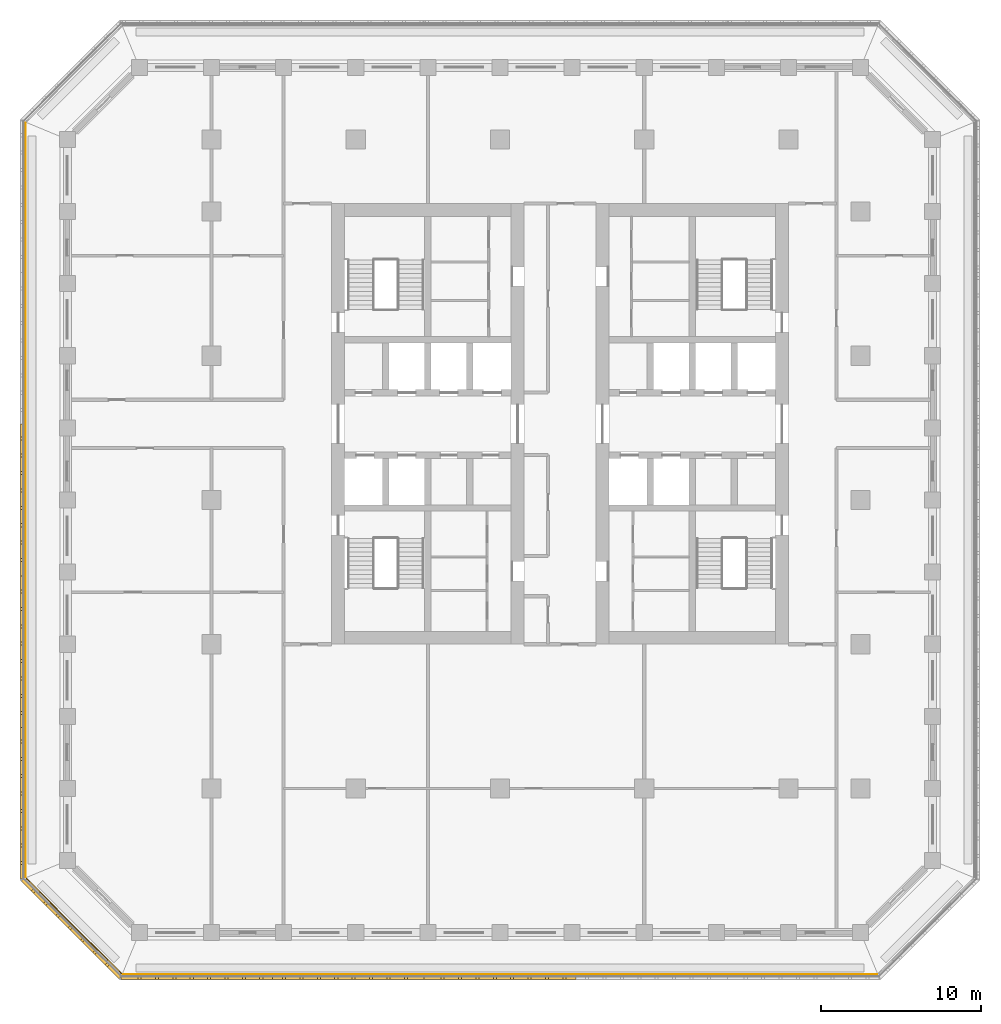
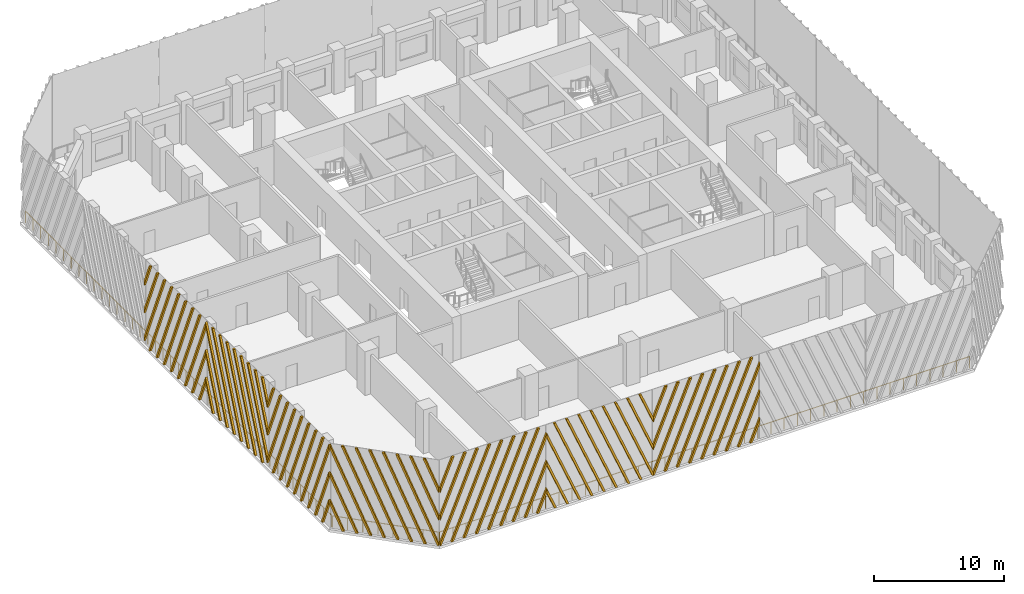
# One storey, part 9 of 16: 7 shading devices, 3 railings.
"""IFC4 building model written with IfcOpenShell, lengths in metres."""

from ifc_helpers import new_model, si_unit, direction, frame, origin, origin_2d, place, context, subcontext, project, spatial, polyline, circle, outline, extrude, source, transform, mapped, material, type_object, element, save


model = new_model("IFC4")

# Units and contexts
model_context = context("Model", 3, precision=1e-05, world=origin(), true_north=direction((0.0, 1.0)))
body_context = subcontext(model_context, "Body", "Model", "MODEL_VIEW")
ifc_project = project(units=[si_unit("LENGTHUNIT", "METRE"), si_unit("AREAUNIT", "SQUARE_METRE"), si_unit("VOLUMEUNIT", "CUBIC_METRE"), si_unit("PLANEANGLEUNIT", "RADIAN"), si_unit("MASSUNIT", "GRAM", prefix="KILO")], contexts=[model_context])

# Site, building, storey
site_placement = place(None, origin())
site = spatial("IfcSite", under=ifc_project, at=site_placement, CompositionType="ELEMENT")
building_placement = place(site_placement, origin())
building = spatial("IfcBuilding", under=site, at=building_placement, Name="Corbel Stack Research Tower", CompositionType="ELEMENT")
storey_placement = place(building_placement, frame((0.0, 0.0, 173.199951171875)))
storey = spatial("IfcBuildingStorey", under=building, at=storey_placement, Name="L39", CompositionType="ELEMENT", Elevation=173.199951171875)

# Railings
ifc_material_1 = material(Name="Powder-coated steel guard", Category="steel")
railing_type = type_object("IfcRailingType", Name="Steel and glass guard 1100", PredefinedType="GUARDRAIL", material=ifc_material_1)
railing_1_placement = place(storey_placement, frame((-23.50537109375, -29.60009765625, 0.0)))
element("IfcRailing", 1, at=railing_1_placement, inside=storey, type_object=railing_type, Name="Loggia guard L39 S", PredefinedType="GUARDRAIL", context=body_context, shape_type="SweptSolid", body=[
    extrude(circle(Radius=0.02392578125, at=origin_2d()), frame((0.0, 0.0, 1.076171875), z_axis=(1.0, 0.0, 0.0), x_axis=(0.0, 1.0, 0.0)), (0.0, 0.0, 1.0), 47.0107421875),
    extrude(circle(Radius=0.02099609375, at=origin_2d()), origin(), (0.0, 0.0, 1.0), 1.052001953125),
    extrude(circle(Radius=0.02099609375, at=origin_2d()), frame((1.17529296875, 0.0, 0.0)), (0.0, 0.0, 1.0), 1.052001953125),
    extrude(circle(Radius=0.02099609375, at=origin_2d()), frame((2.3505859375, 0.0, 0.0)), (0.0, 0.0, 1.0), 1.052001953125),
    extrude(circle(Radius=0.02099609375, at=origin_2d()), frame((3.52587890625, 0.0, 0.0)), (0.0, 0.0, 1.0), 1.052001953125),
    extrude(circle(Radius=0.02099609375, at=origin_2d()), frame((4.701171875, 0.0, 0.0)), (0.0, 0.0, 1.0), 1.052001953125),
    extrude(circle(Radius=0.02099609375, at=origin_2d()), frame((5.87646484375, 0.0, 0.0)), (0.0, 0.0, 1.0), 1.052001953125),
    extrude(circle(Radius=0.02099609375, at=origin_2d()), frame((7.051513671875, 0.0, 0.0)), (0.0, 0.0, 1.0), 1.052001953125),
    extrude(circle(Radius=0.02099609375, at=origin_2d()), frame((8.226806640625, 0.0, 0.0)), (0.0, 0.0, 1.0), 1.052001953125),
    extrude(circle(Radius=0.02099609375, at=origin_2d()), frame((9.402099609375, 0.0, 0.0)), (0.0, 0.0, 1.0), 1.052001953125),
    extrude(circle(Radius=0.02099609375, at=origin_2d()), frame((10.577392578125, 0.0, 0.0)), (0.0, 0.0, 1.0), 1.052001953125),
    extrude(circle(Radius=0.02099609375, at=origin_2d()), frame((11.752685546875, 0.0, 0.0)), (0.0, 0.0, 1.0), 1.052001953125),
    extrude(circle(Radius=0.02099609375, at=origin_2d()), frame((12.927978515625, 0.0, 0.0)), (0.0, 0.0, 1.0), 1.052001953125),
    extrude(circle(Radius=0.02099609375, at=origin_2d()), frame((14.103271484375, 0.0, 0.0)), (0.0, 0.0, 1.0), 1.052001953125),
    extrude(circle(Radius=0.02099609375, at=origin_2d()), frame((15.278564453125, 0.0, 0.0)), (0.0, 0.0, 1.0), 1.052001953125),
    extrude(circle(Radius=0.02099609375, at=origin_2d()), frame((16.453857421875, 0.0, 0.0)), (0.0, 0.0, 1.0), 1.052001953125),
    extrude(circle(Radius=0.02099609375, at=origin_2d()), frame((17.62890625, 0.0, 0.0)), (0.0, 0.0, 1.0), 1.052001953125),
    extrude(circle(Radius=0.02099609375, at=origin_2d()), frame((18.80419921875, 0.0, 0.0)), (0.0, 0.0, 1.0), 1.052001953125),
    extrude(circle(Radius=0.02099609375, at=origin_2d()), frame((19.9794921875, 0.0, 0.0)), (0.0, 0.0, 1.0), 1.052001953125),
    extrude(circle(Radius=0.02099609375, at=origin_2d()), frame((21.15478515625, 0.0, 0.0)), (0.0, 0.0, 1.0), 1.052001953125),
    extrude(circle(Radius=0.02099609375, at=origin_2d()), frame((22.330078125, 0.0, 0.0)), (0.0, 0.0, 1.0), 1.052001953125),
    extrude(circle(Radius=0.02099609375, at=origin_2d()), frame((23.50537109375, 0.0, 0.0)), (0.0, 0.0, 1.0), 1.052001953125),
    extrude(circle(Radius=0.02099609375, at=origin_2d()), frame((24.6806640625, 0.0, 0.0)), (0.0, 0.0, 1.0), 1.052001953125),
    extrude(circle(Radius=0.02099609375, at=origin_2d()), frame((25.85595703125, 0.0, 0.0)), (0.0, 0.0, 1.0), 1.052001953125),
    extrude(circle(Radius=0.02099609375, at=origin_2d()), frame((27.03125, 0.0, 0.0)), (0.0, 0.0, 1.0), 1.052001953125),
    extrude(circle(Radius=0.02099609375, at=origin_2d()), frame((28.20654296875, 0.0, 0.0)), (0.0, 0.0, 1.0), 1.052001953125),
    extrude(circle(Radius=0.02099609375, at=origin_2d()), frame((29.3818359375, 0.0, 0.0)), (0.0, 0.0, 1.0), 1.052001953125),
    extrude(circle(Radius=0.02099609375, at=origin_2d()), frame((30.556884765625, 0.0, 0.0)), (0.0, 0.0, 1.0), 1.052001953125),
    extrude(circle(Radius=0.02099609375, at=origin_2d()), frame((31.732177734375, 0.0, 0.0)), (0.0, 0.0, 1.0), 1.052001953125),
    extrude(circle(Radius=0.02099609375, at=origin_2d()), frame((32.907470703125, 0.0, 0.0)), (0.0, 0.0, 1.0), 1.052001953125),
    extrude(circle(Radius=0.02099609375, at=origin_2d()), frame((34.082763671875, 0.0, 0.0)), (0.0, 0.0, 1.0), 1.052001953125),
    extrude(circle(Radius=0.02099609375, at=origin_2d()), frame((35.258056640625, 0.0, 0.0)), (0.0, 0.0, 1.0), 1.052001953125),
    extrude(circle(Radius=0.02099609375, at=origin_2d()), frame((36.433349609375, 0.0, 0.0)), (0.0, 0.0, 1.0), 1.052001953125),
    extrude(circle(Radius=0.02099609375, at=origin_2d()), frame((37.608642578125, 0.0, 0.0)), (0.0, 0.0, 1.0), 1.052001953125),
    extrude(circle(Radius=0.02099609375, at=origin_2d()), frame((38.783935546875, 0.0, 0.0)), (0.0, 0.0, 1.0), 1.052001953125),
    extrude(circle(Radius=0.02099609375, at=origin_2d()), frame((39.959228515625, 0.0, 0.0)), (0.0, 0.0, 1.0), 1.052001953125),
    extrude(circle(Radius=0.02099609375, at=origin_2d()), frame((41.13427734375, 0.0, 0.0)), (0.0, 0.0, 1.0), 1.052001953125),
    extrude(circle(Radius=0.02099609375, at=origin_2d()), frame((42.3095703125, 0.0, 0.0)), (0.0, 0.0, 1.0), 1.052001953125),
    extrude(circle(Radius=0.02099609375, at=origin_2d()), frame((43.48486328125, 0.0, 0.0)), (0.0, 0.0, 1.0), 1.052001953125),
    extrude(circle(Radius=0.02099609375, at=origin_2d()), frame((44.66015625, 0.0, 0.0)), (0.0, 0.0, 1.0), 1.052001953125),
    extrude(circle(Radius=0.02099609375, at=origin_2d()), frame((45.83544921875, 0.0, 0.0)), (0.0, 0.0, 1.0), 1.052001953125),
    extrude(circle(Radius=0.02099609375, at=origin_2d()), frame((47.0107421875, 0.0, 0.0)), (0.0, 0.0, 1.0), 1.052001953125),
])
railing_2_placement = place(storey_placement, frame((-29.60009765625, 23.50537109375, 0.0)))
element("IfcRailing", 2, at=railing_2_placement, inside=storey, type_object=railing_type, Name="Loggia guard L39 W", PredefinedType="GUARDRAIL", context=body_context, shape_type="SweptSolid", body=[
    extrude(circle(Radius=0.02392578125, at=origin_2d()), frame((0.0, 0.0, 1.076171875), z_axis=(0.0, -1.0, 0.0), x_axis=(1.0, 0.0, 0.0)), (0.0, 0.0, 1.0), 47.0107421875),
    extrude(circle(Radius=0.02099609375, at=origin_2d()), origin(), (0.0, 0.0, 1.0), 1.052001953125),
    extrude(circle(Radius=0.02099609375, at=origin_2d()), frame((0.0, -1.17529296875, 0.0)), (0.0, 0.0, 1.0), 1.052001953125),
    extrude(circle(Radius=0.02099609375, at=origin_2d()), frame((0.0, -2.3505859375, 0.0)), (0.0, 0.0, 1.0), 1.052001953125),
    extrude(circle(Radius=0.02099609375, at=origin_2d()), frame((0.0, -3.52587890625, 0.0)), (0.0, 0.0, 1.0), 1.052001953125),
    extrude(circle(Radius=0.02099609375, at=origin_2d()), frame((0.0, -4.701171875, 0.0)), (0.0, 0.0, 1.0), 1.052001953125),
    extrude(circle(Radius=0.02099609375, at=origin_2d()), frame((0.0, -5.87646484375, 0.0)), (0.0, 0.0, 1.0), 1.052001953125),
    extrude(circle(Radius=0.02099609375, at=origin_2d()), frame((0.0, -7.051513671875, 0.0)), (0.0, 0.0, 1.0), 1.052001953125),
    extrude(circle(Radius=0.02099609375, at=origin_2d()), frame((0.0, -8.226806640625, 0.0)), (0.0, 0.0, 1.0), 1.052001953125),
    extrude(circle(Radius=0.02099609375, at=origin_2d()), frame((0.0, -9.402099609375, 0.0)), (0.0, 0.0, 1.0), 1.052001953125),
    extrude(circle(Radius=0.02099609375, at=origin_2d()), frame((0.0, -10.577392578125, 0.0)), (0.0, 0.0, 1.0), 1.052001953125),
    extrude(circle(Radius=0.02099609375, at=origin_2d()), frame((0.0, -11.752685546875, 0.0)), (0.0, 0.0, 1.0), 1.052001953125),
    extrude(circle(Radius=0.02099609375, at=origin_2d()), frame((0.0, -12.927978515625, 0.0)), (0.0, 0.0, 1.0), 1.052001953125),
    extrude(circle(Radius=0.02099609375, at=origin_2d()), frame((0.0, -14.103271484375, 0.0)), (0.0, 0.0, 1.0), 1.052001953125),
    extrude(circle(Radius=0.02099609375, at=origin_2d()), frame((0.0, -15.278564453125, 0.0)), (0.0, 0.0, 1.0), 1.052001953125),
    extrude(circle(Radius=0.02099609375, at=origin_2d()), frame((0.0, -16.453857421875, 0.0)), (0.0, 0.0, 1.0), 1.052001953125),
    extrude(circle(Radius=0.02099609375, at=origin_2d()), frame((0.0, -17.62890625, 0.0)), (0.0, 0.0, 1.0), 1.052001953125),
    extrude(circle(Radius=0.02099609375, at=origin_2d()), frame((0.0, -18.80419921875, 0.0)), (0.0, 0.0, 1.0), 1.052001953125),
    extrude(circle(Radius=0.02099609375, at=origin_2d()), frame((0.0, -19.9794921875, 0.0)), (0.0, 0.0, 1.0), 1.052001953125),
    extrude(circle(Radius=0.02099609375, at=origin_2d()), frame((0.0, -21.15478515625, 0.0)), (0.0, 0.0, 1.0), 1.052001953125),
    extrude(circle(Radius=0.02099609375, at=origin_2d()), frame((0.0, -22.330078125, 0.0)), (0.0, 0.0, 1.0), 1.052001953125),
    extrude(circle(Radius=0.02099609375, at=origin_2d()), frame((0.0, -23.50537109375, 0.0)), (0.0, 0.0, 1.0), 1.052001953125),
    extrude(circle(Radius=0.02099609375, at=origin_2d()), frame((0.0, -24.6806640625, 0.0)), (0.0, 0.0, 1.0), 1.052001953125),
    extrude(circle(Radius=0.02099609375, at=origin_2d()), frame((0.0, -25.85595703125, 0.0)), (0.0, 0.0, 1.0), 1.052001953125),
    extrude(circle(Radius=0.02099609375, at=origin_2d()), frame((0.0, -27.03125, 0.0)), (0.0, 0.0, 1.0), 1.052001953125),
    extrude(circle(Radius=0.02099609375, at=origin_2d()), frame((0.0, -28.20654296875, 0.0)), (0.0, 0.0, 1.0), 1.052001953125),
    extrude(circle(Radius=0.02099609375, at=origin_2d()), frame((0.0, -29.3818359375, 0.0)), (0.0, 0.0, 1.0), 1.052001953125),
    extrude(circle(Radius=0.02099609375, at=origin_2d()), frame((0.0, -30.556884765625, 0.0)), (0.0, 0.0, 1.0), 1.052001953125),
    extrude(circle(Radius=0.02099609375, at=origin_2d()), frame((0.0, -31.732177734375, 0.0)), (0.0, 0.0, 1.0), 1.052001953125),
    extrude(circle(Radius=0.02099609375, at=origin_2d()), frame((0.0, -32.907470703125, 0.0)), (0.0, 0.0, 1.0), 1.052001953125),
    extrude(circle(Radius=0.02099609375, at=origin_2d()), frame((0.0, -34.082763671875, 0.0)), (0.0, 0.0, 1.0), 1.052001953125),
    extrude(circle(Radius=0.02099609375, at=origin_2d()), frame((0.0, -35.258056640625, 0.0)), (0.0, 0.0, 1.0), 1.052001953125),
    extrude(circle(Radius=0.02099609375, at=origin_2d()), frame((0.0, -36.433349609375, 0.0)), (0.0, 0.0, 1.0), 1.052001953125),
    extrude(circle(Radius=0.02099609375, at=origin_2d()), frame((0.0, -37.608642578125, 0.0)), (0.0, 0.0, 1.0), 1.052001953125),
    extrude(circle(Radius=0.02099609375, at=origin_2d()), frame((0.0, -38.783935546875, 0.0)), (0.0, 0.0, 1.0), 1.052001953125),
    extrude(circle(Radius=0.02099609375, at=origin_2d()), frame((0.0, -39.959228515625, 0.0)), (0.0, 0.0, 1.0), 1.052001953125),
    extrude(circle(Radius=0.02099609375, at=origin_2d()), frame((0.0, -41.13427734375, 0.0)), (0.0, 0.0, 1.0), 1.052001953125),
    extrude(circle(Radius=0.02099609375, at=origin_2d()), frame((0.0, -42.3095703125, 0.0)), (0.0, 0.0, 1.0), 1.052001953125),
    extrude(circle(Radius=0.02099609375, at=origin_2d()), frame((0.0, -43.48486328125, 0.0)), (0.0, 0.0, 1.0), 1.052001953125),
    extrude(circle(Radius=0.02099609375, at=origin_2d()), frame((0.0, -44.66015625, 0.0)), (0.0, 0.0, 1.0), 1.052001953125),
    extrude(circle(Radius=0.02099609375, at=origin_2d()), frame((0.0, -45.83544921875, 0.0)), (0.0, 0.0, 1.0), 1.052001953125),
    extrude(circle(Radius=0.02099609375, at=origin_2d()), frame((0.0, -47.0107421875, 0.0)), (0.0, 0.0, 1.0), 1.052001953125),
])
railing_3_placement = place(storey_placement, frame((-29.54931640625, -23.627685546875, 0.0)))
element("IfcRailing", 3, at=railing_3_placement, inside=storey, type_object=railing_type, Name="Loggia guard L39 SW", PredefinedType="GUARDRAIL", context=body_context, shape_type="SweptSolid", body=[
    extrude(circle(Radius=0.02392578125, at=origin_2d()), frame((0.0, 0.0, 1.076171875), z_axis=(0.707106781187, -0.707106781187, 0.0), x_axis=(0.707106781187, 0.707106781187, 0.0)), (0.0, 0.0, 1.0), 8.37451171875),
    extrude(circle(Radius=0.02099609375, at=origin_2d()), origin(), (0.0, 0.0, 1.0), 1.052001953125),
    extrude(circle(Radius=0.02099609375, at=origin_2d()), frame((0.845947265625, -0.845947265625, 0.0)), (0.0, 0.0, 1.0), 1.052001953125),
    extrude(circle(Radius=0.02099609375, at=origin_2d()), frame((1.69189453125, -1.69189453125, 0.0)), (0.0, 0.0, 1.0), 1.052001953125),
    extrude(circle(Radius=0.02099609375, at=origin_2d()), frame((2.537841796875, -2.537841796875, 0.0)), (0.0, 0.0, 1.0), 1.052001953125),
    extrude(circle(Radius=0.02099609375, at=origin_2d()), frame((3.3837890625, -3.3837890625, 0.0)), (0.0, 0.0, 1.0), 1.052001953125),
    extrude(circle(Radius=0.02099609375, at=origin_2d()), frame((4.229736328125, -4.229736328125, 0.0)), (0.0, 0.0, 1.0), 1.052001953125),
    extrude(circle(Radius=0.02099609375, at=origin_2d()), frame((5.07568359375, -5.07568359375, 0.0)), (0.0, 0.0, 1.0), 1.052001953125),
    extrude(circle(Radius=0.02099609375, at=origin_2d()), frame((5.921630859375, -5.921630859375, 0.0)), (0.0, 0.0, 1.0), 1.052001953125),
])

# Shading devices
ifc_material_2 = material(Name="Precast terracotta", Category="masonry")
shading_device_type = type_object("IfcShadingDeviceType", Name="Terracotta screen panel", PredefinedType="USERDEFINED", material=ifc_material_2)
shared_shape_1 = source(origin(), body_context, "Body", "SweptSolid", [
    extrude(outline(polyline([(1.245849609375, 7.949951171875), (1.055908203125, 7.949951171875), (0.0, 5.421875), (0.0, 4.966796875), (1.245849609375, 7.949951171875)])), frame((0.0, 0.0, 0.0), z_axis=(0.0, -1.0, 0.0), x_axis=(1.0, 0.0, 0.0)), (0.0, 0.0, 1.0), 0.179931640625),
    extrude(outline(polyline([(2.33056640625, 7.949951171875), (2.140380859375, 7.949951171875), (0.0, 2.82470703125), (0.0, 2.36962890625), (2.33056640625, 7.949951171875)])), frame((0.0, 0.0, 0.0), z_axis=(0.0, -1.0, 0.0), x_axis=(1.0, 0.0, 0.0)), (0.0, 0.0, 1.0), 0.179931640625),
    extrude(outline(polyline([(0.094970703125, 0.0), (3.415283203125, 7.949951171875), (3.22509765625, 7.949951171875), (0.0, 0.2275390625), (0.0, 0.0), (0.094970703125, 0.0)])), frame((0.0, 0.0, 0.0), z_axis=(0.0, -1.0, 0.0), x_axis=(1.0, 0.0, 0.0)), (0.0, 0.0, 1.0), 0.179931640625),
    extrude(outline(polyline([(1.1796875, 0.0), (4.499755859375, 7.949951171875), (4.309814453125, 7.949951171875), (0.98974609375, 0.0), (1.1796875, 0.0)])), frame((0.0, 0.0, 0.0), z_axis=(0.0, -1.0, 0.0), x_axis=(1.0, 0.0, 0.0)), (0.0, 0.0, 1.0), 0.179931640625),
    extrude(outline(polyline([(2.264404296875, 0.0), (5.58447265625, 7.949951171875), (5.39453125, 7.949951171875), (2.07421875, 0.0), (2.264404296875, 0.0)])), frame((0.0, 0.0, 0.0), z_axis=(0.0, -1.0, 0.0), x_axis=(1.0, 0.0, 0.0)), (0.0, 0.0, 1.0), 0.179931640625),
    extrude(outline(polyline([(3.34912109375, 0.0), (6.669189453125, 7.949951171875), (6.479248046875, 7.949951171875), (3.158935546875, 0.0), (3.34912109375, 0.0)])), frame((0.0, 0.0, 0.0), z_axis=(0.0, -1.0, 0.0), x_axis=(1.0, 0.0, 0.0)), (0.0, 0.0, 1.0), 0.179931640625),
    extrude(outline(polyline([(4.43359375, 0.0), (7.75390625, 7.949951171875), (7.563720703125, 7.949951171875), (4.24365234375, 0.0), (4.43359375, 0.0)])), frame((0.0, 0.0, 0.0), z_axis=(0.0, -1.0, 0.0), x_axis=(1.0, 0.0, 0.0)), (0.0, 0.0, 1.0), 0.179931640625),
    extrude(outline(polyline([(5.518310546875, 0.0), (8.83837890625, 7.949951171875), (8.6484375, 7.949951171875), (5.328369140625, 0.0), (5.518310546875, 0.0)])), frame((0.0, 0.0, 0.0), z_axis=(0.0, -1.0, 0.0), x_axis=(1.0, 0.0, 0.0)), (0.0, 0.0, 1.0), 0.179931640625),
    extrude(outline(polyline([(6.60302734375, 0.0), (9.45556640625, 6.83056640625), (9.45556640625, 7.285400390625), (6.4130859375, 0.0), (6.60302734375, 0.0)])), frame((0.0, 0.0, 0.0), z_axis=(0.0, -1.0, 0.0), x_axis=(1.0, 0.0, 0.0)), (0.0, 0.0, 1.0), 0.179931640625),
    extrude(outline(polyline([(7.687744140625, 0.0), (9.45556640625, 4.2333984375), (9.45556640625, 4.688232421875), (7.497802734375, 0.0), (7.687744140625, 0.0)])), frame((0.0, 0.0, 0.0), z_axis=(0.0, -1.0, 0.0), x_axis=(1.0, 0.0, 0.0)), (0.0, 0.0, 1.0), 0.179931640625),
    extrude(outline(polyline([(8.772216796875, 0.0), (9.45556640625, 1.635986328125), (9.45556640625, 2.091064453125), (8.582275390625, 0.0), (8.772216796875, 0.0)])), frame((0.0, 0.0, 0.0), z_axis=(0.0, -1.0, 0.0), x_axis=(1.0, 0.0, 0.0)), (0.0, 0.0, 1.0), 0.179931640625),
])
for number, where, z_axis, x_axis, name in (
    (4, (-23.63916015625, -29.75, 0.0), (0.0, 0.0, 1.0), (1.0, 0.0, 0.0), "Terracotta screen L39 S1"),
    (5, (-4.727783203125, -29.75, 0.0), (0.0, 0.0, 1.0), (1.0, 0.0, 0.0), "Terracotta screen L39 S3"),
):
    element("IfcShadingDevice", number, at=place(storey_placement, frame(where, z_axis=z_axis, x_axis=x_axis)), inside=storey, type_object=shading_device_type, Name=name, ObjectType="SCREEN", PredefinedType="USERDEFINED", context=body_context, shape_type="MappedRepresentation", body=[
        mapped(shared_shape_1, transform((0.0, 0.0, 0.0))),
    ])
shared_shape_2 = source(origin(), body_context, "Body", "SweptSolid", [
    extrude(outline(polyline([(0.873291015625, 0.0), (0.0, 2.091064453125), (0.0, 1.635986328125), (0.683349609375, 0.0), (0.873291015625, 0.0)])), frame((0.0, 0.0, 0.0), z_axis=(0.0, -1.0, 0.0), x_axis=(1.0, 0.0, 0.0)), (0.0, 0.0, 1.0), 0.179931640625),
    extrude(outline(polyline([(1.9580078125, 0.0), (0.0, 4.688232421875), (0.0, 4.2333984375), (1.76806640625, 0.0), (1.9580078125, 0.0)])), frame((0.0, 0.0, 0.0), z_axis=(0.0, -1.0, 0.0), x_axis=(1.0, 0.0, 0.0)), (0.0, 0.0, 1.0), 0.179931640625),
    extrude(outline(polyline([(3.04248046875, 0.0), (0.0, 7.285400390625), (0.0, 6.83056640625), (2.8525390625, 0.0), (3.04248046875, 0.0)])), frame((0.0, 0.0, 0.0), z_axis=(0.0, -1.0, 0.0), x_axis=(1.0, 0.0, 0.0)), (0.0, 0.0, 1.0), 0.179931640625),
    extrude(outline(polyline([(4.127197265625, 0.0), (0.80712890625, 7.949951171875), (0.6171875, 7.949951171875), (3.937255859375, 0.0), (4.127197265625, 0.0)])), frame((0.0, 0.0, 0.0), z_axis=(0.0, -1.0, 0.0), x_axis=(1.0, 0.0, 0.0)), (0.0, 0.0, 1.0), 0.179931640625),
    extrude(outline(polyline([(5.2119140625, 0.0), (1.891845703125, 7.949951171875), (1.701904296875, 7.949951171875), (5.02197265625, 0.0), (5.2119140625, 0.0)])), frame((0.0, 0.0, 0.0), z_axis=(0.0, -1.0, 0.0), x_axis=(1.0, 0.0, 0.0)), (0.0, 0.0, 1.0), 0.179931640625),
    extrude(outline(polyline([(6.296630859375, 0.0), (2.9765625, 7.949951171875), (2.78662109375, 7.949951171875), (6.106689453125, 0.0), (6.296630859375, 0.0)])), frame((0.0, 0.0, 0.0), z_axis=(0.0, -1.0, 0.0), x_axis=(1.0, 0.0, 0.0)), (0.0, 0.0, 1.0), 0.179931640625),
    extrude(outline(polyline([(7.38134765625, 0.0), (4.06103515625, 7.949951171875), (3.87109375, 7.949951171875), (7.19140625, 0.0), (7.38134765625, 0.0)])), frame((0.0, 0.0, 0.0), z_axis=(0.0, -1.0, 0.0), x_axis=(1.0, 0.0, 0.0)), (0.0, 0.0, 1.0), 0.179931640625),
    extrude(outline(polyline([(8.466064453125, 0.0), (5.145751953125, 7.949951171875), (4.955810546875, 7.949951171875), (8.27587890625, 0.0), (8.466064453125, 0.0)])), frame((0.0, 0.0, 0.0), z_axis=(0.0, -1.0, 0.0), x_axis=(1.0, 0.0, 0.0)), (0.0, 0.0, 1.0), 0.179931640625),
    extrude(outline(polyline([(9.45556640625, 0.0), (9.45556640625, 0.2275390625), (6.23046875, 7.949951171875), (6.04052734375, 7.949951171875), (9.360595703125, 0.0), (9.45556640625, 0.0)])), frame((0.0, 0.0, 0.0), z_axis=(0.0, -1.0, 0.0), x_axis=(1.0, 0.0, 0.0)), (0.0, 0.0, 1.0), 0.179931640625),
    extrude(outline(polyline([(7.315185546875, 7.949951171875), (7.125, 7.949951171875), (9.45556640625, 2.36962890625), (9.45556640625, 2.82470703125), (7.315185546875, 7.949951171875)])), frame((0.0, 0.0, 0.0), z_axis=(0.0, -1.0, 0.0), x_axis=(1.0, 0.0, 0.0)), (0.0, 0.0, 1.0), 0.179931640625),
    extrude(outline(polyline([(8.39990234375, 7.949951171875), (8.209716796875, 7.949951171875), (9.45556640625, 4.966796875), (9.45556640625, 5.421875), (8.39990234375, 7.949951171875)])), frame((0.0, 0.0, 0.0), z_axis=(0.0, -1.0, 0.0), x_axis=(1.0, 0.0, 0.0)), (0.0, 0.0, 1.0), 0.179931640625),
])
shading_device_1_placement = place(storey_placement, frame((-14.18359375, -29.75, 0.0), z_axis=(0.0, 0.0, 1.0), x_axis=(1.0, 0.0, 0.0)))
element("IfcShadingDevice", 6, at=shading_device_1_placement, inside=storey, type_object=shading_device_type, Name="Terracotta screen L39 S2", ObjectType="SCREEN", PredefinedType="USERDEFINED", context=body_context, shape_type="MappedRepresentation", body=[
    mapped(shared_shape_2, transform((0.0, 0.0, 0.0))),
])
shared_shape_3 = source(origin(), body_context, "Body", "SweptSolid", [
    extrude(outline(polyline([(0.974609375, 7.949951171875), (0.78466796875, 7.949951171875), (0.0, 6.071044921875), (0.0, 5.6162109375), (0.974609375, 7.949951171875)])), frame((0.0, 0.0, 0.0), z_axis=(0.0, -1.0, 0.0), x_axis=(1.0, 0.0, 0.0)), (0.0, 0.0, 1.0), 0.179931640625),
    extrude(outline(polyline([(2.059326171875, 7.949951171875), (1.869384765625, 7.949951171875), (0.0, 3.473876953125), (0.0, 3.01904296875), (2.059326171875, 7.949951171875)])), frame((0.0, 0.0, 0.0), z_axis=(0.0, -1.0, 0.0), x_axis=(1.0, 0.0, 0.0)), (0.0, 0.0, 1.0), 0.179931640625),
    extrude(outline(polyline([(3.14404296875, 7.949951171875), (2.9541015625, 7.949951171875), (0.0, 0.876708984375), (0.0, 0.421875), (3.14404296875, 7.949951171875)])), frame((0.0, 0.0, 0.0), z_axis=(0.0, -1.0, 0.0), x_axis=(1.0, 0.0, 0.0)), (0.0, 0.0, 1.0), 0.179931640625),
    extrude(outline(polyline([(0.908447265625, 0.0), (4.228759765625, 7.949951171875), (4.038818359375, 7.949951171875), (0.718505859375, 0.0), (0.908447265625, 0.0)])), frame((0.0, 0.0, 0.0), z_axis=(0.0, -1.0, 0.0), x_axis=(1.0, 0.0, 0.0)), (0.0, 0.0, 1.0), 0.179931640625),
    extrude(outline(polyline([(1.9931640625, 0.0), (5.313232421875, 7.949951171875), (5.123291015625, 7.949951171875), (1.80322265625, 0.0), (1.9931640625, 0.0)])), frame((0.0, 0.0, 0.0), z_axis=(0.0, -1.0, 0.0), x_axis=(1.0, 0.0, 0.0)), (0.0, 0.0, 1.0), 0.179931640625),
    extrude(outline(polyline([(3.077880859375, 0.0), (6.39794921875, 7.949951171875), (6.2080078125, 7.949951171875), (2.8876953125, 0.0), (3.077880859375, 0.0)])), frame((0.0, 0.0, 0.0), z_axis=(0.0, -1.0, 0.0), x_axis=(1.0, 0.0, 0.0)), (0.0, 0.0, 1.0), 0.179931640625),
    extrude(outline(polyline([(4.16259765625, 0.0), (7.482666015625, 7.949951171875), (7.292724609375, 7.949951171875), (3.972412109375, 0.0), (4.16259765625, 0.0)])), frame((0.0, 0.0, 0.0), z_axis=(0.0, -1.0, 0.0), x_axis=(1.0, 0.0, 0.0)), (0.0, 0.0, 1.0), 0.179931640625),
    extrude(outline(polyline([(5.247314453125, 0.0), (8.5673828125, 7.949951171875), (8.377197265625, 7.949951171875), (5.05712890625, 0.0), (5.247314453125, 0.0)])), frame((0.0, 0.0, 0.0), z_axis=(0.0, -1.0, 0.0), x_axis=(1.0, 0.0, 0.0)), (0.0, 0.0, 1.0), 0.179931640625),
    extrude(outline(polyline([(6.331787109375, 0.0), (9.45556640625, 7.479736328125), (9.45556640625, 7.934814453125), (6.141845703125, 0.0), (6.331787109375, 0.0)])), frame((0.0, 0.0, 0.0), z_axis=(0.0, -1.0, 0.0), x_axis=(1.0, 0.0, 0.0)), (0.0, 0.0, 1.0), 0.179931640625),
    extrude(outline(polyline([(7.41650390625, 0.0), (9.45556640625, 4.882568359375), (9.45556640625, 5.337646484375), (7.2265625, 0.0), (7.41650390625, 0.0)])), frame((0.0, 0.0, 0.0), z_axis=(0.0, -1.0, 0.0), x_axis=(1.0, 0.0, 0.0)), (0.0, 0.0, 1.0), 0.179931640625),
    extrude(outline(polyline([(8.501220703125, 0.0), (9.45556640625, 2.285400390625), (9.45556640625, 2.740478515625), (8.311279296875, 0.0), (8.501220703125, 0.0)])), frame((0.0, 0.0, 0.0), z_axis=(0.0, -1.0, 0.0), x_axis=(1.0, 0.0, 0.0)), (0.0, 0.0, 1.0), 0.179931640625),
])
for number, where, z_axis, x_axis, name in (
    (7, (-29.75, 4.727783203125, 0.0), (0.0, 0.0, 1.0), (0.0, -1.0, 0.0), "Terracotta screen L39 W3"),
    (8, (-29.75, -14.18359375, 0.0), (0.0, 0.0, 1.0), (0.0, -1.0, 0.0), "Terracotta screen L39 W5"),
):
    element("IfcShadingDevice", number, at=place(storey_placement, frame(where, z_axis=z_axis, x_axis=x_axis)), inside=storey, type_object=shading_device_type, Name=name, ObjectType="SCREEN", PredefinedType="USERDEFINED", context=body_context, shape_type="MappedRepresentation", body=[
        mapped(shared_shape_3, transform((0.0, 0.0, 0.0))),
    ])
shared_shape_4 = source(origin(), body_context, "Body", "SweptSolid", [
    extrude(outline(polyline([(1.14453125, 0.0), (0.0, 2.740478515625), (0.0, 2.285400390625), (0.95458984375, 0.0), (1.14453125, 0.0)])), frame((0.0, 0.0, 0.0), z_axis=(0.0, -1.0, 0.0), x_axis=(1.0, 0.0, 0.0)), (0.0, 0.0, 1.0), 0.179931640625),
    extrude(outline(polyline([(2.22900390625, 0.0), (0.0, 5.337646484375), (0.0, 4.882568359375), (2.0390625, 0.0), (2.22900390625, 0.0)])), frame((0.0, 0.0, 0.0), z_axis=(0.0, -1.0, 0.0), x_axis=(1.0, 0.0, 0.0)), (0.0, 0.0, 1.0), 0.179931640625),
    extrude(outline(polyline([(3.313720703125, 0.0), (0.0, 7.934814453125), (0.0, 7.479736328125), (3.123779296875, 0.0), (3.313720703125, 0.0)])), frame((0.0, 0.0, 0.0), z_axis=(0.0, -1.0, 0.0), x_axis=(1.0, 0.0, 0.0)), (0.0, 0.0, 1.0), 0.179931640625),
    extrude(outline(polyline([(4.3984375, 0.0), (1.078369140625, 7.949951171875), (0.88818359375, 7.949951171875), (4.20849609375, 0.0), (4.3984375, 0.0)])), frame((0.0, 0.0, 0.0), z_axis=(0.0, -1.0, 0.0), x_axis=(1.0, 0.0, 0.0)), (0.0, 0.0, 1.0), 0.179931640625),
    extrude(outline(polyline([(5.483154296875, 0.0), (2.1630859375, 7.949951171875), (1.972900390625, 7.949951171875), (5.293212890625, 0.0), (5.483154296875, 0.0)])), frame((0.0, 0.0, 0.0), z_axis=(0.0, -1.0, 0.0), x_axis=(1.0, 0.0, 0.0)), (0.0, 0.0, 1.0), 0.179931640625),
    extrude(outline(polyline([(6.56787109375, 0.0), (3.24755859375, 7.949951171875), (3.0576171875, 7.949951171875), (6.377685546875, 0.0), (6.56787109375, 0.0)])), frame((0.0, 0.0, 0.0), z_axis=(0.0, -1.0, 0.0), x_axis=(1.0, 0.0, 0.0)), (0.0, 0.0, 1.0), 0.179931640625),
    extrude(outline(polyline([(7.652587890625, 0.0), (4.332275390625, 7.949951171875), (4.142333984375, 7.949951171875), (7.46240234375, 0.0), (7.652587890625, 0.0)])), frame((0.0, 0.0, 0.0), z_axis=(0.0, -1.0, 0.0), x_axis=(1.0, 0.0, 0.0)), (0.0, 0.0, 1.0), 0.179931640625),
    extrude(outline(polyline([(8.737060546875, 0.0), (5.4169921875, 7.949951171875), (5.22705078125, 7.949951171875), (8.547119140625, 0.0), (8.737060546875, 0.0)])), frame((0.0, 0.0, 0.0), z_axis=(0.0, -1.0, 0.0), x_axis=(1.0, 0.0, 0.0)), (0.0, 0.0, 1.0), 0.179931640625),
    extrude(outline(polyline([(6.501708984375, 7.949951171875), (6.3115234375, 7.949951171875), (9.45556640625, 0.421875), (9.45556640625, 0.876708984375), (6.501708984375, 7.949951171875)])), frame((0.0, 0.0, 0.0), z_axis=(0.0, -1.0, 0.0), x_axis=(1.0, 0.0, 0.0)), (0.0, 0.0, 1.0), 0.179931640625),
    extrude(outline(polyline([(7.586181640625, 7.949951171875), (7.396240234375, 7.949951171875), (9.45556640625, 3.01904296875), (9.45556640625, 3.473876953125), (7.586181640625, 7.949951171875)])), frame((0.0, 0.0, 0.0), z_axis=(0.0, -1.0, 0.0), x_axis=(1.0, 0.0, 0.0)), (0.0, 0.0, 1.0), 0.179931640625),
    extrude(outline(polyline([(8.6708984375, 7.949951171875), (8.48095703125, 7.949951171875), (9.45556640625, 5.6162109375), (9.45556640625, 6.071044921875), (8.6708984375, 7.949951171875)])), frame((0.0, 0.0, 0.0), z_axis=(0.0, -1.0, 0.0), x_axis=(1.0, 0.0, 0.0)), (0.0, 0.0, 1.0), 0.179931640625),
])
shading_device_2_placement = place(storey_placement, frame((-29.75, -4.727783203125, 0.0), z_axis=(0.0, 0.0, 1.0), x_axis=(0.0, -1.0, 0.0)))
element("IfcShadingDevice", 9, at=shading_device_2_placement, inside=storey, type_object=shading_device_type, Name="Terracotta screen L39 W4", ObjectType="SCREEN", PredefinedType="USERDEFINED", context=body_context, shape_type="MappedRepresentation", body=[
    mapped(shared_shape_4, transform((0.0, 0.0, 0.0))),
])
shared_shape_5 = source(origin(), body_context, "Body", "SweptSolid", [
    extrude(outline(polyline([(1.14453125, 0.0), (0.0, 2.740478515625), (0.0, 2.285400390625), (0.95458984375, 0.0), (1.14453125, 0.0)])), frame((0.0, 0.0, 0.0), z_axis=(0.0, -1.0, 0.0), x_axis=(1.0, 0.0, 0.0)), (0.0, 0.0, 1.0), 0.179931640625),
    extrude(outline(polyline([(2.22900390625, 0.0), (0.0, 5.337646484375), (0.0, 4.882568359375), (2.0390625, 0.0), (2.22900390625, 0.0)])), frame((0.0, 0.0, 0.0), z_axis=(0.0, -1.0, 0.0), x_axis=(1.0, 0.0, 0.0)), (0.0, 0.0, 1.0), 0.179931640625),
    extrude(outline(polyline([(3.313720703125, 0.0), (0.0, 7.934814453125), (0.0, 7.479736328125), (3.123779296875, 0.0), (3.313720703125, 0.0)])), frame((0.0, 0.0, 0.0), z_axis=(0.0, -1.0, 0.0), x_axis=(1.0, 0.0, 0.0)), (0.0, 0.0, 1.0), 0.179931640625),
    extrude(outline(polyline([(4.3984375, 0.0), (1.078369140625, 7.949951171875), (0.88818359375, 7.949951171875), (4.20849609375, 0.0), (4.3984375, 0.0)])), frame((0.0, 0.0, 0.0), z_axis=(0.0, -1.0, 0.0), x_axis=(1.0, 0.0, 0.0)), (0.0, 0.0, 1.0), 0.179931640625),
    extrude(outline(polyline([(5.483154296875, 0.0), (2.1630859375, 7.949951171875), (1.972900390625, 7.949951171875), (5.293212890625, 0.0), (5.483154296875, 0.0)])), frame((0.0, 0.0, 0.0), z_axis=(0.0, -1.0, 0.0), x_axis=(1.0, 0.0, 0.0)), (0.0, 0.0, 1.0), 0.179931640625),
    extrude(outline(polyline([(6.56787109375, 0.0), (3.24755859375, 7.949951171875), (3.0576171875, 7.949951171875), (6.377685546875, 0.0), (6.56787109375, 0.0)])), frame((0.0, 0.0, 0.0), z_axis=(0.0, -1.0, 0.0), x_axis=(1.0, 0.0, 0.0)), (0.0, 0.0, 1.0), 0.179931640625),
    extrude(outline(polyline([(7.652587890625, 0.0), (4.332275390625, 7.949951171875), (4.142333984375, 7.949951171875), (7.46240234375, 0.0), (7.652587890625, 0.0)])), frame((0.0, 0.0, 0.0), z_axis=(0.0, -1.0, 0.0), x_axis=(1.0, 0.0, 0.0)), (0.0, 0.0, 1.0), 0.179931640625),
    extrude(outline(polyline([(8.64208984375, 0.0), (8.64208984375, 0.2275390625), (5.4169921875, 7.949951171875), (5.22705078125, 7.949951171875), (8.547119140625, 0.0), (8.64208984375, 0.0)])), frame((0.0, 0.0, 0.0), z_axis=(0.0, -1.0, 0.0), x_axis=(1.0, 0.0, 0.0)), (0.0, 0.0, 1.0), 0.179931640625),
    extrude(outline(polyline([(6.501708984375, 7.949951171875), (6.3115234375, 7.949951171875), (8.64208984375, 2.36962890625), (8.64208984375, 2.82470703125), (6.501708984375, 7.949951171875)])), frame((0.0, 0.0, 0.0), z_axis=(0.0, -1.0, 0.0), x_axis=(1.0, 0.0, 0.0)), (0.0, 0.0, 1.0), 0.179931640625),
    extrude(outline(polyline([(7.586181640625, 7.949951171875), (7.396240234375, 7.949951171875), (8.64208984375, 4.966796875), (8.64208984375, 5.421875), (7.586181640625, 7.949951171875)])), frame((0.0, 0.0, 0.0), z_axis=(0.0, -1.0, 0.0), x_axis=(1.0, 0.0, 0.0)), (0.0, 0.0, 1.0), 0.179931640625),
])
shading_device_3_placement = place(storey_placement, frame((-29.75, -23.63916015625, 0.0), z_axis=(0.0, 0.0, 1.0), x_axis=(0.707106781187, -0.707106781187, 0.0)))
element("IfcShadingDevice", 10, at=shading_device_3_placement, inside=storey, type_object=shading_device_type, Name="Terracotta screen L39 SW1", ObjectType="SCREEN", PredefinedType="USERDEFINED", context=body_context, shape_type="MappedRepresentation", body=[
    mapped(shared_shape_5, transform((0.0, 0.0, 0.0))),
])

save(model, "model.ifc")
